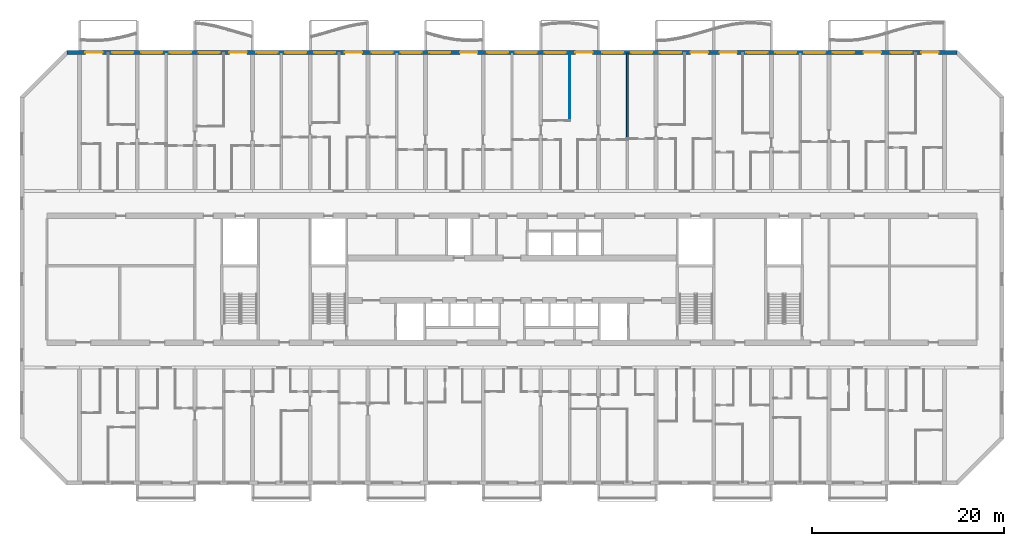
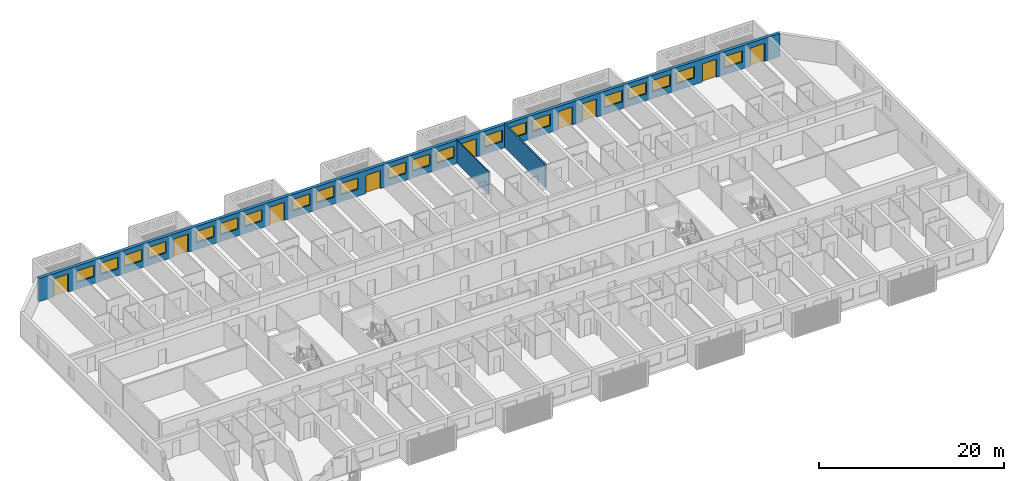
# One storey, part 13 of 38: 21 windows, 9 doors, 3 walls, 30 openings.
"""IFC4 building model written with IfcOpenShell, lengths in metres."""

from ifc_helpers import new_model, si_unit, direction, frame, frame_2d, origin, place, context, subcontext, project, spatial, rectangle, extrude, material, layer, layer_set, type_object, element, fill, save


model = new_model("IFC4")

# Units and contexts
model_context = context("Model", 3, precision=1e-05, world=origin(), true_north=direction((0.0, 1.0)))
body_context = subcontext(model_context, "Body", "Model", "MODEL_VIEW")
ifc_project = project(units=[si_unit("LENGTHUNIT", "METRE"), si_unit("AREAUNIT", "SQUARE_METRE"), si_unit("VOLUMEUNIT", "CUBIC_METRE"), si_unit("PLANEANGLEUNIT", "RADIAN"), si_unit("MASSUNIT", "GRAM", prefix="KILO")], contexts=[model_context])

# Site, building, storey
site_placement = place(None, origin())
site = spatial("IfcSite", under=ifc_project, at=site_placement, CompositionType="ELEMENT")
building_placement = place(site_placement, origin())
building = spatial("IfcBuilding", under=site, at=building_placement, Name="Poui Terraces", CompositionType="ELEMENT")
storey_placement = place(building_placement, frame((0.0, 0.0, 46.5)))
storey = spatial("IfcBuildingStorey", under=building, at=storey_placement, Name="L12", CompositionType="ELEMENT", Elevation=46.5)

# Wall, openings, doors, windows
ifc_material_1 = material(Name="Precast concrete 40 MPa", Category="concrete")
ifc_layer_1 = layer(ifc_material_1, 0.39990234375)
ifc_layer_set_1 = layer_set([ifc_layer_1], Name="Precast concrete 40 MPa")
wall_type_1 = type_object("IfcWallType", Name="EXTERNAL WALL 400", PredefinedType="STANDARD", material=ifc_layer_set_1)
wall_1_placement = place(storey_placement, frame((97.317138671875, 44.800048828125, 0.0), z_axis=(0.0, 0.0, 1.0), x_axis=(-1.0, 0.0, 0.0)))
wall_1 = element("IfcWall", 1, at=wall_1_placement, inside=storey, type_object=wall_type_1, Name="EXTERNAL WALL N", PredefinedType="STANDARD", context=body_context, shape_type="SweptSolid", body=[
    extrude(rectangle(XDim=92.63427734375, YDim=0.39990234375, at=frame_2d((46.317138671875, 0.0))), origin(), (0.0, 0.0, 1.0), 3.050048828125),
])
opening_1_placement = place(wall_1_placement, frame((88.917236328125, 0.0, 0.0)))
opening_1 = element("IfcOpeningElement", 2, at=opening_1_placement, cuts=wall_1, Name="Opening BD1", PredefinedType="OPENING", context=body_context, shape_type="SweptSolid", body=[
    extrude(rectangle(XDim=1.800048828125, YDim=2.39990234375, at=frame_2d((0.89990234375, 1.199951171875))), frame((0.0, 0.2099609375, 0.0), z_axis=(0.0, -1.0, 0.0), x_axis=(1.0, 0.0, 0.0)), (0.0, 0.0, 1.0), 0.419921875),
])
opening_2_placement = place(wall_1_placement, frame((85.71728515625, 0.0, 0.89990234375)))
opening_2 = element("IfcOpeningElement", 3, at=opening_2_placement, cuts=wall_1, Name="Opening W1", PredefinedType="OPENING", context=body_context, shape_type="SweptSolid", body=[
    extrude(rectangle(XDim=2.199951171875, YDim=1.5, at=frame_2d((1.10009765625, 0.75))), frame((0.0, 0.2099609375, 0.0), z_axis=(0.0, -1.0, 0.0), x_axis=(1.0, 0.0, 0.0)), (0.0, 0.0, 1.0), 0.419921875),
])
opening_3_placement = place(wall_1_placement, frame((82.71728515625, 0.0, 0.89990234375)))
opening_3 = element("IfcOpeningElement", 4, at=opening_3_placement, cuts=wall_1, Name="Opening W1", PredefinedType="OPENING", context=body_context, shape_type="SweptSolid", body=[
    extrude(rectangle(XDim=2.199951171875, YDim=1.5, at=frame_2d((1.10009765625, 0.75))), frame((0.0, 0.2099609375, 0.0), z_axis=(0.0, -1.0, 0.0), x_axis=(1.0, 0.0, 0.0)), (0.0, 0.0, 1.0), 0.419921875),
])
opening_4_placement = place(wall_1_placement, frame((79.71728515625, 0.0, 0.89990234375)))
opening_4 = element("IfcOpeningElement", 5, at=opening_4_placement, cuts=wall_1, Name="Opening W1", PredefinedType="OPENING", context=body_context, shape_type="SweptSolid", body=[
    extrude(rectangle(XDim=2.199951171875, YDim=1.5, at=frame_2d((1.10009765625, 0.75))), frame((0.0, 0.2099609375, 0.0), z_axis=(0.0, -1.0, 0.0), x_axis=(1.0, 0.0, 0.0)), (0.0, 0.0, 1.0), 0.419921875),
])
opening_5_placement = place(wall_1_placement, frame((76.71728515625, 0.0, 0.89990234375)))
opening_5 = element("IfcOpeningElement", 6, at=opening_5_placement, cuts=wall_1, Name="Opening W1", PredefinedType="OPENING", context=body_context, shape_type="SweptSolid", body=[
    extrude(rectangle(XDim=2.199951171875, YDim=1.5, at=frame_2d((1.10009765625, 0.75))), frame((0.0, 0.2099609375, 0.0), z_axis=(0.0, -1.0, 0.0), x_axis=(1.0, 0.0, 0.0)), (0.0, 0.0, 1.0), 0.419921875),
])
opening_6_placement = place(wall_1_placement, frame((73.917236328125, 0.0, 0.0)))
opening_6 = element("IfcOpeningElement", 7, at=opening_6_placement, cuts=wall_1, Name="Opening BD1", PredefinedType="OPENING", context=body_context, shape_type="SweptSolid", body=[
    extrude(rectangle(XDim=1.800048828125, YDim=2.39990234375, at=frame_2d((0.89990234375, 1.199951171875))), frame((0.0, 0.2099609375, 0.0), z_axis=(0.0, -1.0, 0.0), x_axis=(1.0, 0.0, 0.0)), (0.0, 0.0, 1.0), 0.419921875),
])
opening_7_placement = place(wall_1_placement, frame((70.71728515625, 0.0, 0.89990234375)))
opening_7 = element("IfcOpeningElement", 8, at=opening_7_placement, cuts=wall_1, Name="Opening W1", PredefinedType="OPENING", context=body_context, shape_type="SweptSolid", body=[
    extrude(rectangle(XDim=2.199951171875, YDim=1.5, at=frame_2d((1.10009765625, 0.75))), frame((0.0, 0.2099609375, 0.0), z_axis=(0.0, -1.0, 0.0), x_axis=(1.0, 0.0, 0.0)), (0.0, 0.0, 1.0), 0.419921875),
])
opening_8_placement = place(wall_1_placement, frame((67.71728515625, 0.0, 0.89990234375)))
opening_8 = element("IfcOpeningElement", 9, at=opening_8_placement, cuts=wall_1, Name="Opening W1", PredefinedType="OPENING", context=body_context, shape_type="SweptSolid", body=[
    extrude(rectangle(XDim=2.199951171875, YDim=1.5, at=frame_2d((1.10009765625, 0.75))), frame((0.0, 0.2099609375, 0.0), z_axis=(0.0, -1.0, 0.0), x_axis=(1.0, 0.0, 0.0)), (0.0, 0.0, 1.0), 0.419921875),
])
opening_9_placement = place(wall_1_placement, frame((64.71728515625, 0.0, 0.89990234375)))
opening_9 = element("IfcOpeningElement", 10, at=opening_9_placement, cuts=wall_1, Name="Opening W1", PredefinedType="OPENING", context=body_context, shape_type="SweptSolid", body=[
    extrude(rectangle(XDim=2.199951171875, YDim=1.5, at=frame_2d((1.10009765625, 0.75))), frame((0.0, 0.2099609375, 0.0), z_axis=(0.0, -1.0, 0.0), x_axis=(1.0, 0.0, 0.0)), (0.0, 0.0, 1.0), 0.419921875),
])
opening_10_placement = place(wall_1_placement, frame((61.917236328125, 0.0, 0.0)))
opening_10 = element("IfcOpeningElement", 11, at=opening_10_placement, cuts=wall_1, Name="Opening BD1", PredefinedType="OPENING", context=body_context, shape_type="SweptSolid", body=[
    extrude(rectangle(XDim=1.800048828125, YDim=2.39990234375, at=frame_2d((0.89990234375, 1.199951171875))), frame((0.0, 0.2099609375, 0.0), z_axis=(0.0, -1.0, 0.0), x_axis=(1.0, 0.0, 0.0)), (0.0, 0.0, 1.0), 0.419921875),
])
opening_11_placement = place(wall_1_placement, frame((58.71728515625, 0.0, 0.89990234375)))
opening_11 = element("IfcOpeningElement", 12, at=opening_11_placement, cuts=wall_1, Name="Opening W1", PredefinedType="OPENING", context=body_context, shape_type="SweptSolid", body=[
    extrude(rectangle(XDim=2.199951171875, YDim=1.5, at=frame_2d((1.10009765625, 0.75))), frame((0.0, 0.2099609375, 0.0), z_axis=(0.0, -1.0, 0.0), x_axis=(1.0, 0.0, 0.0)), (0.0, 0.0, 1.0), 0.419921875),
])
opening_12_placement = place(wall_1_placement, frame((55.71728515625, 0.0, 0.89990234375)))
opening_12 = element("IfcOpeningElement", 13, at=opening_12_placement, cuts=wall_1, Name="Opening W1", PredefinedType="OPENING", context=body_context, shape_type="SweptSolid", body=[
    extrude(rectangle(XDim=2.199951171875, YDim=1.5, at=frame_2d((1.10009765625, 0.75))), frame((0.0, 0.2099609375, 0.0), z_axis=(0.0, -1.0, 0.0), x_axis=(1.0, 0.0, 0.0)), (0.0, 0.0, 1.0), 0.419921875),
])
opening_13_placement = place(wall_1_placement, frame((52.71728515625, 0.0, 0.89990234375)))
opening_13 = element("IfcOpeningElement", 14, at=opening_13_placement, cuts=wall_1, Name="Opening W1", PredefinedType="OPENING", context=body_context, shape_type="SweptSolid", body=[
    extrude(rectangle(XDim=2.199951171875, YDim=1.5, at=frame_2d((1.10009765625, 0.75))), frame((0.0, 0.2099609375, 0.0), z_axis=(0.0, -1.0, 0.0), x_axis=(1.0, 0.0, 0.0)), (0.0, 0.0, 1.0), 0.419921875),
])
opening_14_placement = place(wall_1_placement, frame((49.917236328125, 0.0, 0.0)))
opening_14 = element("IfcOpeningElement", 15, at=opening_14_placement, cuts=wall_1, Name="Opening BD1", PredefinedType="OPENING", context=body_context, shape_type="SweptSolid", body=[
    extrude(rectangle(XDim=1.800048828125, YDim=2.39990234375, at=frame_2d((0.89990234375, 1.199951171875))), frame((0.0, 0.2099609375, 0.0), z_axis=(0.0, -1.0, 0.0), x_axis=(1.0, 0.0, 0.0)), (0.0, 0.0, 1.0), 0.419921875),
])
opening_15_placement = place(wall_1_placement, frame((46.71728515625, 0.0, 0.89990234375)))
opening_15 = element("IfcOpeningElement", 16, at=opening_15_placement, cuts=wall_1, Name="Opening W1", PredefinedType="OPENING", context=body_context, shape_type="SweptSolid", body=[
    extrude(rectangle(XDim=2.199951171875, YDim=1.5, at=frame_2d((1.10009765625, 0.75))), frame((0.0, 0.2099609375, 0.0), z_axis=(0.0, -1.0, 0.0), x_axis=(1.0, 0.0, 0.0)), (0.0, 0.0, 1.0), 0.419921875),
])
opening_16_placement = place(wall_1_placement, frame((43.71728515625, 0.0, 0.89990234375)))
opening_16 = element("IfcOpeningElement", 17, at=opening_16_placement, cuts=wall_1, Name="Opening W1", PredefinedType="OPENING", context=body_context, shape_type="SweptSolid", body=[
    extrude(rectangle(XDim=2.199951171875, YDim=1.5, at=frame_2d((1.10009765625, 0.75))), frame((0.0, 0.2099609375, 0.0), z_axis=(0.0, -1.0, 0.0), x_axis=(1.0, 0.0, 0.0)), (0.0, 0.0, 1.0), 0.419921875),
])
opening_17_placement = place(wall_1_placement, frame((40.71728515625, 0.0, 0.89990234375)))
opening_17 = element("IfcOpeningElement", 18, at=opening_17_placement, cuts=wall_1, Name="Opening W1", PredefinedType="OPENING", context=body_context, shape_type="SweptSolid", body=[
    extrude(rectangle(XDim=2.199951171875, YDim=1.5, at=frame_2d((1.10009765625, 0.75))), frame((0.0, 0.2099609375, 0.0), z_axis=(0.0, -1.0, 0.0), x_axis=(1.0, 0.0, 0.0)), (0.0, 0.0, 1.0), 0.419921875),
])
opening_18_placement = place(wall_1_placement, frame((37.917236328125, 0.0, 0.0)))
opening_18 = element("IfcOpeningElement", 19, at=opening_18_placement, cuts=wall_1, Name="Opening BD1", PredefinedType="OPENING", context=body_context, shape_type="SweptSolid", body=[
    extrude(rectangle(XDim=1.800048828125, YDim=2.39990234375, at=frame_2d((0.89990234375, 1.199951171875))), frame((0.0, 0.2099609375, 0.0), z_axis=(0.0, -1.0, 0.0), x_axis=(1.0, 0.0, 0.0)), (0.0, 0.0, 1.0), 0.419921875),
])
opening_19_placement = place(wall_1_placement, frame((34.71728515625, 0.0, 0.89990234375)))
opening_19 = element("IfcOpeningElement", 20, at=opening_19_placement, cuts=wall_1, Name="Opening W1", PredefinedType="OPENING", context=body_context, shape_type="SweptSolid", body=[
    extrude(rectangle(XDim=2.199951171875, YDim=1.5, at=frame_2d((1.10009765625, 0.75))), frame((0.0, 0.2099609375, 0.0), z_axis=(0.0, -1.0, 0.0), x_axis=(1.0, 0.0, 0.0)), (0.0, 0.0, 1.0), 0.419921875),
])
opening_20_placement = place(wall_1_placement, frame((31.71728515625, 0.0, 0.89990234375)))
opening_20 = element("IfcOpeningElement", 21, at=opening_20_placement, cuts=wall_1, Name="Opening W1", PredefinedType="OPENING", context=body_context, shape_type="SweptSolid", body=[
    extrude(rectangle(XDim=2.199951171875, YDim=1.5, at=frame_2d((1.10009765625, 0.75))), frame((0.0, 0.2099609375, 0.0), z_axis=(0.0, -1.0, 0.0), x_axis=(1.0, 0.0, 0.0)), (0.0, 0.0, 1.0), 0.419921875),
])
opening_21_placement = place(wall_1_placement, frame((28.71728515625, 0.0, 0.89990234375)))
opening_21 = element("IfcOpeningElement", 22, at=opening_21_placement, cuts=wall_1, Name="Opening W1", PredefinedType="OPENING", context=body_context, shape_type="SweptSolid", body=[
    extrude(rectangle(XDim=2.199951171875, YDim=1.5, at=frame_2d((1.10009765625, 0.75))), frame((0.0, 0.2099609375, 0.0), z_axis=(0.0, -1.0, 0.0), x_axis=(1.0, 0.0, 0.0)), (0.0, 0.0, 1.0), 0.419921875),
])
opening_22_placement = place(wall_1_placement, frame((25.917236328125, 0.0, 0.0)))
opening_22 = element("IfcOpeningElement", 23, at=opening_22_placement, cuts=wall_1, Name="Opening BD1", PredefinedType="OPENING", context=body_context, shape_type="SweptSolid", body=[
    extrude(rectangle(XDim=1.800048828125, YDim=2.39990234375, at=frame_2d((0.89990234375, 1.199951171875))), frame((0.0, 0.2099609375, 0.0), z_axis=(0.0, -1.0, 0.0), x_axis=(1.0, 0.0, 0.0)), (0.0, 0.0, 1.0), 0.419921875),
])
opening_23_placement = place(wall_1_placement, frame((22.917236328125, 0.0, 0.0)))
opening_23 = element("IfcOpeningElement", 24, at=opening_23_placement, cuts=wall_1, Name="Opening BD1", PredefinedType="OPENING", context=body_context, shape_type="SweptSolid", body=[
    extrude(rectangle(XDim=1.800048828125, YDim=2.39990234375, at=frame_2d((0.89990234375, 1.199951171875))), frame((0.0, 0.2099609375, 0.0), z_axis=(0.0, -1.0, 0.0), x_axis=(1.0, 0.0, 0.0)), (0.0, 0.0, 1.0), 0.419921875),
])
opening_24_placement = place(wall_1_placement, frame((19.71728515625, 0.0, 0.89990234375)))
opening_24 = element("IfcOpeningElement", 25, at=opening_24_placement, cuts=wall_1, Name="Opening W1", PredefinedType="OPENING", context=body_context, shape_type="SweptSolid", body=[
    extrude(rectangle(XDim=2.199951171875, YDim=1.5, at=frame_2d((1.10009765625, 0.75))), frame((0.0, 0.2099609375, 0.0), z_axis=(0.0, -1.0, 0.0), x_axis=(1.0, 0.0, 0.0)), (0.0, 0.0, 1.0), 0.419921875),
])
opening_25_placement = place(wall_1_placement, frame((16.71728515625, 0.0, 0.89990234375)))
opening_25 = element("IfcOpeningElement", 26, at=opening_25_placement, cuts=wall_1, Name="Opening W1", PredefinedType="OPENING", context=body_context, shape_type="SweptSolid", body=[
    extrude(rectangle(XDim=2.199951171875, YDim=1.5, at=frame_2d((1.10009765625, 0.75))), frame((0.0, 0.2099609375, 0.0), z_axis=(0.0, -1.0, 0.0), x_axis=(1.0, 0.0, 0.0)), (0.0, 0.0, 1.0), 0.419921875),
])
opening_26_placement = place(wall_1_placement, frame((13.71728515625, 0.0, 0.89990234375)))
opening_26 = element("IfcOpeningElement", 27, at=opening_26_placement, cuts=wall_1, Name="Opening W1", PredefinedType="OPENING", context=body_context, shape_type="SweptSolid", body=[
    extrude(rectangle(XDim=2.199951171875, YDim=1.5, at=frame_2d((1.10009765625, 0.75))), frame((0.0, 0.2099609375, 0.0), z_axis=(0.0, -1.0, 0.0), x_axis=(1.0, 0.0, 0.0)), (0.0, 0.0, 1.0), 0.419921875),
])
opening_27_placement = place(wall_1_placement, frame((10.71728515625, 0.0, 0.89990234375)))
opening_27 = element("IfcOpeningElement", 28, at=opening_27_placement, cuts=wall_1, Name="Opening W1", PredefinedType="OPENING", context=body_context, shape_type="SweptSolid", body=[
    extrude(rectangle(XDim=2.199951171875, YDim=1.5, at=frame_2d((1.10009765625, 0.75))), frame((0.0, 0.2099609375, 0.0), z_axis=(0.0, -1.0, 0.0), x_axis=(1.0, 0.0, 0.0)), (0.0, 0.0, 1.0), 0.419921875),
])
opening_28_placement = place(wall_1_placement, frame((7.917236328125, 0.0, 0.0)))
opening_28 = element("IfcOpeningElement", 29, at=opening_28_placement, cuts=wall_1, Name="Opening BD1", PredefinedType="OPENING", context=body_context, shape_type="SweptSolid", body=[
    extrude(rectangle(XDim=1.800048828125, YDim=2.39990234375, at=frame_2d((0.89990234375, 1.199951171875))), frame((0.0, 0.2099609375, 0.0), z_axis=(0.0, -1.0, 0.0), x_axis=(1.0, 0.0, 0.0)), (0.0, 0.0, 1.0), 0.419921875),
])
opening_29_placement = place(wall_1_placement, frame((4.71728515625, 0.0, 0.89990234375)))
opening_29 = element("IfcOpeningElement", 30, at=opening_29_placement, cuts=wall_1, Name="Opening W1", PredefinedType="OPENING", context=body_context, shape_type="SweptSolid", body=[
    extrude(rectangle(XDim=2.199951171875, YDim=1.5, at=frame_2d((1.10009765625, 0.75))), frame((0.0, 0.2099609375, 0.0), z_axis=(0.0, -1.0, 0.0), x_axis=(1.0, 0.0, 0.0)), (0.0, 0.0, 1.0), 0.419921875),
])
opening_30_placement = place(wall_1_placement, frame((1.917236328125, 0.0, 0.0)))
opening_30 = element("IfcOpeningElement", 31, at=opening_30_placement, cuts=wall_1, Name="Opening BD1", PredefinedType="OPENING", context=body_context, shape_type="SweptSolid", body=[
    extrude(rectangle(XDim=1.800048828125, YDim=2.39990234375, at=frame_2d((0.89990234375, 1.199951171875))), frame((0.0, 0.2099609375, 0.0), z_axis=(0.0, -1.0, 0.0), x_axis=(1.0, 0.0, 0.0)), (0.0, 0.0, 1.0), 0.419921875),
])
ifc_material_2 = material(Name="Clear glass in aluminium frame", Category="aluminium")
door_type = type_object("IfcDoorType", Name="BALCONY DOOR 1800X2400", OperationType="DOUBLE_DOOR_SLIDING", PredefinedType="DOOR", material=ifc_material_2)
door_1_placement = place(opening_1_placement, origin())
door_1 = element("IfcDoor", 32, at=door_1_placement, inside=storey, type_object=door_type, Name="BD1 BALCONY DOOR", OperationType="DOUBLE_DOOR_SLIDING", OverallHeight=2.39990234375, OverallWidth=1.800048828125, PredefinedType="DOOR", context=body_context, shape_type="SweptSolid", body=[
    extrude(rectangle(XDim=1.800048828125, YDim=2.39990234375, at=frame_2d((0.89990234375, 1.199951171875))), frame((0.0, 0.02490234375, 0.0), z_axis=(0.0, -1.0, 0.0), x_axis=(1.0, 0.0, 0.0)), (0.0, 0.0, 1.0), 0.050048828125),
])
fill(opening_1, door_1)
door_2_placement = place(opening_6_placement, origin())
door_2 = element("IfcDoor", 33, at=door_2_placement, inside=storey, type_object=door_type, Name="BD1 BALCONY DOOR", OperationType="DOUBLE_DOOR_SLIDING", OverallHeight=2.39990234375, OverallWidth=1.800048828125, PredefinedType="DOOR", context=body_context, shape_type="SweptSolid", body=[
    extrude(rectangle(XDim=1.800048828125, YDim=2.39990234375, at=frame_2d((0.89990234375, 1.199951171875))), frame((0.0, 0.02490234375, 0.0), z_axis=(0.0, -1.0, 0.0), x_axis=(1.0, 0.0, 0.0)), (0.0, 0.0, 1.0), 0.050048828125),
])
fill(opening_6, door_2)
door_3_placement = place(opening_10_placement, origin())
door_3 = element("IfcDoor", 34, at=door_3_placement, inside=storey, type_object=door_type, Name="BD1 BALCONY DOOR", OperationType="DOUBLE_DOOR_SLIDING", OverallHeight=2.39990234375, OverallWidth=1.800048828125, PredefinedType="DOOR", context=body_context, shape_type="SweptSolid", body=[
    extrude(rectangle(XDim=1.800048828125, YDim=2.39990234375, at=frame_2d((0.89990234375, 1.199951171875))), frame((0.0, 0.02490234375, 0.0), z_axis=(0.0, -1.0, 0.0), x_axis=(1.0, 0.0, 0.0)), (0.0, 0.0, 1.0), 0.050048828125),
])
fill(opening_10, door_3)
door_4_placement = place(opening_14_placement, origin())
door_4 = element("IfcDoor", 35, at=door_4_placement, inside=storey, type_object=door_type, Name="BD1 BALCONY DOOR", OperationType="DOUBLE_DOOR_SLIDING", OverallHeight=2.39990234375, OverallWidth=1.800048828125, PredefinedType="DOOR", context=body_context, shape_type="SweptSolid", body=[
    extrude(rectangle(XDim=1.800048828125, YDim=2.39990234375, at=frame_2d((0.89990234375, 1.199951171875))), frame((0.0, 0.02490234375, 0.0), z_axis=(0.0, -1.0, 0.0), x_axis=(1.0, 0.0, 0.0)), (0.0, 0.0, 1.0), 0.050048828125),
])
fill(opening_14, door_4)
door_5_placement = place(opening_18_placement, origin())
door_5 = element("IfcDoor", 36, at=door_5_placement, inside=storey, type_object=door_type, Name="BD1 BALCONY DOOR", OperationType="DOUBLE_DOOR_SLIDING", OverallHeight=2.39990234375, OverallWidth=1.800048828125, PredefinedType="DOOR", context=body_context, shape_type="SweptSolid", body=[
    extrude(rectangle(XDim=1.800048828125, YDim=2.39990234375, at=frame_2d((0.89990234375, 1.199951171875))), frame((0.0, 0.02490234375, 0.0), z_axis=(0.0, -1.0, 0.0), x_axis=(1.0, 0.0, 0.0)), (0.0, 0.0, 1.0), 0.050048828125),
])
fill(opening_18, door_5)
door_6_placement = place(opening_22_placement, origin())
door_6 = element("IfcDoor", 37, at=door_6_placement, inside=storey, type_object=door_type, Name="BD1 BALCONY DOOR", OperationType="DOUBLE_DOOR_SLIDING", OverallHeight=2.39990234375, OverallWidth=1.800048828125, PredefinedType="DOOR", context=body_context, shape_type="SweptSolid", body=[
    extrude(rectangle(XDim=1.800048828125, YDim=2.39990234375, at=frame_2d((0.89990234375, 1.199951171875))), frame((0.0, 0.02490234375, 0.0), z_axis=(0.0, -1.0, 0.0), x_axis=(1.0, 0.0, 0.0)), (0.0, 0.0, 1.0), 0.050048828125),
])
fill(opening_22, door_6)
door_7_placement = place(opening_23_placement, origin())
door_7 = element("IfcDoor", 38, at=door_7_placement, inside=storey, type_object=door_type, Name="BD1 BALCONY DOOR", OperationType="DOUBLE_DOOR_SLIDING", OverallHeight=2.39990234375, OverallWidth=1.800048828125, PredefinedType="DOOR", context=body_context, shape_type="SweptSolid", body=[
    extrude(rectangle(XDim=1.800048828125, YDim=2.39990234375, at=frame_2d((0.89990234375, 1.199951171875))), frame((0.0, 0.02490234375, 0.0), z_axis=(0.0, -1.0, 0.0), x_axis=(1.0, 0.0, 0.0)), (0.0, 0.0, 1.0), 0.050048828125),
])
fill(opening_23, door_7)
door_8_placement = place(opening_28_placement, origin())
door_8 = element("IfcDoor", 39, at=door_8_placement, inside=storey, type_object=door_type, Name="BD1 BALCONY DOOR", OperationType="DOUBLE_DOOR_SLIDING", OverallHeight=2.39990234375, OverallWidth=1.800048828125, PredefinedType="DOOR", context=body_context, shape_type="SweptSolid", body=[
    extrude(rectangle(XDim=1.800048828125, YDim=2.39990234375, at=frame_2d((0.89990234375, 1.199951171875))), frame((0.0, 0.02490234375, 0.0), z_axis=(0.0, -1.0, 0.0), x_axis=(1.0, 0.0, 0.0)), (0.0, 0.0, 1.0), 0.050048828125),
])
fill(opening_28, door_8)
door_9_placement = place(opening_30_placement, origin())
door_9 = element("IfcDoor", 40, at=door_9_placement, inside=storey, type_object=door_type, Name="BD1 BALCONY DOOR", OperationType="DOUBLE_DOOR_SLIDING", OverallHeight=2.39990234375, OverallWidth=1.800048828125, PredefinedType="DOOR", context=body_context, shape_type="SweptSolid", body=[
    extrude(rectangle(XDim=1.800048828125, YDim=2.39990234375, at=frame_2d((0.89990234375, 1.199951171875))), frame((0.0, 0.02490234375, 0.0), z_axis=(0.0, -1.0, 0.0), x_axis=(1.0, 0.0, 0.0)), (0.0, 0.0, 1.0), 0.050048828125),
])
fill(opening_30, door_9)
window_type = type_object("IfcWindowType", Name="WINDOW 2200X1500", PartitioningType="DOUBLE_PANEL_HORIZONTAL", PredefinedType="WINDOW", material=ifc_material_2)
window_1_placement = place(opening_2_placement, origin())
window_1 = element("IfcWindow", 41, at=window_1_placement, inside=storey, type_object=window_type, Name="W1 WINDOW", OverallHeight=1.5, OverallWidth=2.199951171875, PartitioningType="DOUBLE_PANEL_HORIZONTAL", PredefinedType="WINDOW", context=body_context, shape_type="SweptSolid", body=[
    extrude(rectangle(XDim=2.199951171875, YDim=1.5, at=frame_2d((1.10009765625, 0.75))), frame((0.0, 0.030029296875, 0.0), z_axis=(0.0, -1.0, 0.0), x_axis=(1.0, 0.0, 0.0)), (0.0, 0.0, 1.0), 0.06005859375),
])
fill(opening_2, window_1)
window_2_placement = place(opening_3_placement, origin())
window_2 = element("IfcWindow", 42, at=window_2_placement, inside=storey, type_object=window_type, Name="W1 WINDOW", OverallHeight=1.5, OverallWidth=2.199951171875, PartitioningType="DOUBLE_PANEL_HORIZONTAL", PredefinedType="WINDOW", context=body_context, shape_type="SweptSolid", body=[
    extrude(rectangle(XDim=2.199951171875, YDim=1.5, at=frame_2d((1.10009765625, 0.75))), frame((0.0, 0.030029296875, 0.0), z_axis=(0.0, -1.0, 0.0), x_axis=(1.0, 0.0, 0.0)), (0.0, 0.0, 1.0), 0.06005859375),
])
fill(opening_3, window_2)
window_3_placement = place(opening_4_placement, origin())
window_3 = element("IfcWindow", 43, at=window_3_placement, inside=storey, type_object=window_type, Name="W1 WINDOW", OverallHeight=1.5, OverallWidth=2.199951171875, PartitioningType="DOUBLE_PANEL_HORIZONTAL", PredefinedType="WINDOW", context=body_context, shape_type="SweptSolid", body=[
    extrude(rectangle(XDim=2.199951171875, YDim=1.5, at=frame_2d((1.10009765625, 0.75))), frame((0.0, 0.030029296875, 0.0), z_axis=(0.0, -1.0, 0.0), x_axis=(1.0, 0.0, 0.0)), (0.0, 0.0, 1.0), 0.06005859375),
])
fill(opening_4, window_3)
window_4_placement = place(opening_5_placement, origin())
window_4 = element("IfcWindow", 44, at=window_4_placement, inside=storey, type_object=window_type, Name="W1 WINDOW", OverallHeight=1.5, OverallWidth=2.199951171875, PartitioningType="DOUBLE_PANEL_HORIZONTAL", PredefinedType="WINDOW", context=body_context, shape_type="SweptSolid", body=[
    extrude(rectangle(XDim=2.199951171875, YDim=1.5, at=frame_2d((1.10009765625, 0.75))), frame((0.0, 0.030029296875, 0.0), z_axis=(0.0, -1.0, 0.0), x_axis=(1.0, 0.0, 0.0)), (0.0, 0.0, 1.0), 0.06005859375),
])
fill(opening_5, window_4)
window_5_placement = place(opening_7_placement, origin())
window_5 = element("IfcWindow", 45, at=window_5_placement, inside=storey, type_object=window_type, Name="W1 WINDOW", OverallHeight=1.5, OverallWidth=2.199951171875, PartitioningType="DOUBLE_PANEL_HORIZONTAL", PredefinedType="WINDOW", context=body_context, shape_type="SweptSolid", body=[
    extrude(rectangle(XDim=2.199951171875, YDim=1.5, at=frame_2d((1.10009765625, 0.75))), frame((0.0, 0.030029296875, 0.0), z_axis=(0.0, -1.0, 0.0), x_axis=(1.0, 0.0, 0.0)), (0.0, 0.0, 1.0), 0.06005859375),
])
fill(opening_7, window_5)
window_6_placement = place(opening_8_placement, origin())
window_6 = element("IfcWindow", 46, at=window_6_placement, inside=storey, type_object=window_type, Name="W1 WINDOW", OverallHeight=1.5, OverallWidth=2.199951171875, PartitioningType="DOUBLE_PANEL_HORIZONTAL", PredefinedType="WINDOW", context=body_context, shape_type="SweptSolid", body=[
    extrude(rectangle(XDim=2.199951171875, YDim=1.5, at=frame_2d((1.10009765625, 0.75))), frame((0.0, 0.030029296875, 0.0), z_axis=(0.0, -1.0, 0.0), x_axis=(1.0, 0.0, 0.0)), (0.0, 0.0, 1.0), 0.06005859375),
])
fill(opening_8, window_6)
window_7_placement = place(opening_9_placement, origin())
window_7 = element("IfcWindow", 47, at=window_7_placement, inside=storey, type_object=window_type, Name="W1 WINDOW", OverallHeight=1.5, OverallWidth=2.199951171875, PartitioningType="DOUBLE_PANEL_HORIZONTAL", PredefinedType="WINDOW", context=body_context, shape_type="SweptSolid", body=[
    extrude(rectangle(XDim=2.199951171875, YDim=1.5, at=frame_2d((1.10009765625, 0.75))), frame((0.0, 0.030029296875, 0.0), z_axis=(0.0, -1.0, 0.0), x_axis=(1.0, 0.0, 0.0)), (0.0, 0.0, 1.0), 0.06005859375),
])
fill(opening_9, window_7)
window_8_placement = place(opening_11_placement, origin())
window_8 = element("IfcWindow", 48, at=window_8_placement, inside=storey, type_object=window_type, Name="W1 WINDOW", OverallHeight=1.5, OverallWidth=2.199951171875, PartitioningType="DOUBLE_PANEL_HORIZONTAL", PredefinedType="WINDOW", context=body_context, shape_type="SweptSolid", body=[
    extrude(rectangle(XDim=2.199951171875, YDim=1.5, at=frame_2d((1.10009765625, 0.75))), frame((0.0, 0.030029296875, 0.0), z_axis=(0.0, -1.0, 0.0), x_axis=(1.0, 0.0, 0.0)), (0.0, 0.0, 1.0), 0.06005859375),
])
fill(opening_11, window_8)
window_9_placement = place(opening_12_placement, origin())
window_9 = element("IfcWindow", 49, at=window_9_placement, inside=storey, type_object=window_type, Name="W1 WINDOW", OverallHeight=1.5, OverallWidth=2.199951171875, PartitioningType="DOUBLE_PANEL_HORIZONTAL", PredefinedType="WINDOW", context=body_context, shape_type="SweptSolid", body=[
    extrude(rectangle(XDim=2.199951171875, YDim=1.5, at=frame_2d((1.10009765625, 0.75))), frame((0.0, 0.030029296875, 0.0), z_axis=(0.0, -1.0, 0.0), x_axis=(1.0, 0.0, 0.0)), (0.0, 0.0, 1.0), 0.06005859375),
])
fill(opening_12, window_9)
window_10_placement = place(opening_13_placement, origin())
window_10 = element("IfcWindow", 50, at=window_10_placement, inside=storey, type_object=window_type, Name="W1 WINDOW", OverallHeight=1.5, OverallWidth=2.199951171875, PartitioningType="DOUBLE_PANEL_HORIZONTAL", PredefinedType="WINDOW", context=body_context, shape_type="SweptSolid", body=[
    extrude(rectangle(XDim=2.199951171875, YDim=1.5, at=frame_2d((1.10009765625, 0.75))), frame((0.0, 0.030029296875, 0.0), z_axis=(0.0, -1.0, 0.0), x_axis=(1.0, 0.0, 0.0)), (0.0, 0.0, 1.0), 0.06005859375),
])
fill(opening_13, window_10)
window_11_placement = place(opening_15_placement, origin())
window_11 = element("IfcWindow", 51, at=window_11_placement, inside=storey, type_object=window_type, Name="W1 WINDOW", OverallHeight=1.5, OverallWidth=2.199951171875, PartitioningType="DOUBLE_PANEL_HORIZONTAL", PredefinedType="WINDOW", context=body_context, shape_type="SweptSolid", body=[
    extrude(rectangle(XDim=2.199951171875, YDim=1.5, at=frame_2d((1.10009765625, 0.75))), frame((0.0, 0.030029296875, 0.0), z_axis=(0.0, -1.0, 0.0), x_axis=(1.0, 0.0, 0.0)), (0.0, 0.0, 1.0), 0.06005859375),
])
fill(opening_15, window_11)
window_12_placement = place(opening_16_placement, origin())
window_12 = element("IfcWindow", 52, at=window_12_placement, inside=storey, type_object=window_type, Name="W1 WINDOW", OverallHeight=1.5, OverallWidth=2.199951171875, PartitioningType="DOUBLE_PANEL_HORIZONTAL", PredefinedType="WINDOW", context=body_context, shape_type="SweptSolid", body=[
    extrude(rectangle(XDim=2.199951171875, YDim=1.5, at=frame_2d((1.10009765625, 0.75))), frame((0.0, 0.030029296875, 0.0), z_axis=(0.0, -1.0, 0.0), x_axis=(1.0, 0.0, 0.0)), (0.0, 0.0, 1.0), 0.06005859375),
])
fill(opening_16, window_12)
window_13_placement = place(opening_17_placement, origin())
window_13 = element("IfcWindow", 53, at=window_13_placement, inside=storey, type_object=window_type, Name="W1 WINDOW", OverallHeight=1.5, OverallWidth=2.199951171875, PartitioningType="DOUBLE_PANEL_HORIZONTAL", PredefinedType="WINDOW", context=body_context, shape_type="SweptSolid", body=[
    extrude(rectangle(XDim=2.199951171875, YDim=1.5, at=frame_2d((1.10009765625, 0.75))), frame((0.0, 0.030029296875, 0.0), z_axis=(0.0, -1.0, 0.0), x_axis=(1.0, 0.0, 0.0)), (0.0, 0.0, 1.0), 0.06005859375),
])
fill(opening_17, window_13)
window_14_placement = place(opening_19_placement, origin())
window_14 = element("IfcWindow", 54, at=window_14_placement, inside=storey, type_object=window_type, Name="W1 WINDOW", OverallHeight=1.5, OverallWidth=2.199951171875, PartitioningType="DOUBLE_PANEL_HORIZONTAL", PredefinedType="WINDOW", context=body_context, shape_type="SweptSolid", body=[
    extrude(rectangle(XDim=2.199951171875, YDim=1.5, at=frame_2d((1.10009765625, 0.75))), frame((0.0, 0.030029296875, 0.0), z_axis=(0.0, -1.0, 0.0), x_axis=(1.0, 0.0, 0.0)), (0.0, 0.0, 1.0), 0.06005859375),
])
fill(opening_19, window_14)
window_15_placement = place(opening_20_placement, origin())
window_15 = element("IfcWindow", 55, at=window_15_placement, inside=storey, type_object=window_type, Name="W1 WINDOW", OverallHeight=1.5, OverallWidth=2.199951171875, PartitioningType="DOUBLE_PANEL_HORIZONTAL", PredefinedType="WINDOW", context=body_context, shape_type="SweptSolid", body=[
    extrude(rectangle(XDim=2.199951171875, YDim=1.5, at=frame_2d((1.10009765625, 0.75))), frame((0.0, 0.030029296875, 0.0), z_axis=(0.0, -1.0, 0.0), x_axis=(1.0, 0.0, 0.0)), (0.0, 0.0, 1.0), 0.06005859375),
])
fill(opening_20, window_15)
window_16_placement = place(opening_21_placement, origin())
window_16 = element("IfcWindow", 56, at=window_16_placement, inside=storey, type_object=window_type, Name="W1 WINDOW", OverallHeight=1.5, OverallWidth=2.199951171875, PartitioningType="DOUBLE_PANEL_HORIZONTAL", PredefinedType="WINDOW", context=body_context, shape_type="SweptSolid", body=[
    extrude(rectangle(XDim=2.199951171875, YDim=1.5, at=frame_2d((1.10009765625, 0.75))), frame((0.0, 0.030029296875, 0.0), z_axis=(0.0, -1.0, 0.0), x_axis=(1.0, 0.0, 0.0)), (0.0, 0.0, 1.0), 0.06005859375),
])
fill(opening_21, window_16)
window_17_placement = place(opening_24_placement, origin())
window_17 = element("IfcWindow", 57, at=window_17_placement, inside=storey, type_object=window_type, Name="W1 WINDOW", OverallHeight=1.5, OverallWidth=2.199951171875, PartitioningType="DOUBLE_PANEL_HORIZONTAL", PredefinedType="WINDOW", context=body_context, shape_type="SweptSolid", body=[
    extrude(rectangle(XDim=2.199951171875, YDim=1.5, at=frame_2d((1.10009765625, 0.75))), frame((0.0, 0.030029296875, 0.0), z_axis=(0.0, -1.0, 0.0), x_axis=(1.0, 0.0, 0.0)), (0.0, 0.0, 1.0), 0.06005859375),
])
fill(opening_24, window_17)
window_18_placement = place(opening_25_placement, origin())
window_18 = element("IfcWindow", 58, at=window_18_placement, inside=storey, type_object=window_type, Name="W1 WINDOW", OverallHeight=1.5, OverallWidth=2.199951171875, PartitioningType="DOUBLE_PANEL_HORIZONTAL", PredefinedType="WINDOW", context=body_context, shape_type="SweptSolid", body=[
    extrude(rectangle(XDim=2.199951171875, YDim=1.5, at=frame_2d((1.10009765625, 0.75))), frame((0.0, 0.030029296875, 0.0), z_axis=(0.0, -1.0, 0.0), x_axis=(1.0, 0.0, 0.0)), (0.0, 0.0, 1.0), 0.06005859375),
])
fill(opening_25, window_18)
window_19_placement = place(opening_26_placement, origin())
window_19 = element("IfcWindow", 59, at=window_19_placement, inside=storey, type_object=window_type, Name="W1 WINDOW", OverallHeight=1.5, OverallWidth=2.199951171875, PartitioningType="DOUBLE_PANEL_HORIZONTAL", PredefinedType="WINDOW", context=body_context, shape_type="SweptSolid", body=[
    extrude(rectangle(XDim=2.199951171875, YDim=1.5, at=frame_2d((1.10009765625, 0.75))), frame((0.0, 0.030029296875, 0.0), z_axis=(0.0, -1.0, 0.0), x_axis=(1.0, 0.0, 0.0)), (0.0, 0.0, 1.0), 0.06005859375),
])
fill(opening_26, window_19)
window_20_placement = place(opening_27_placement, origin())
window_20 = element("IfcWindow", 60, at=window_20_placement, inside=storey, type_object=window_type, Name="W1 WINDOW", OverallHeight=1.5, OverallWidth=2.199951171875, PartitioningType="DOUBLE_PANEL_HORIZONTAL", PredefinedType="WINDOW", context=body_context, shape_type="SweptSolid", body=[
    extrude(rectangle(XDim=2.199951171875, YDim=1.5, at=frame_2d((1.10009765625, 0.75))), frame((0.0, 0.030029296875, 0.0), z_axis=(0.0, -1.0, 0.0), x_axis=(1.0, 0.0, 0.0)), (0.0, 0.0, 1.0), 0.06005859375),
])
fill(opening_27, window_20)
window_21_placement = place(opening_29_placement, origin())
window_21 = element("IfcWindow", 61, at=window_21_placement, inside=storey, type_object=window_type, Name="W1 WINDOW", OverallHeight=1.5, OverallWidth=2.199951171875, PartitioningType="DOUBLE_PANEL_HORIZONTAL", PredefinedType="WINDOW", context=body_context, shape_type="SweptSolid", body=[
    extrude(rectangle(XDim=2.199951171875, YDim=1.5, at=frame_2d((1.10009765625, 0.75))), frame((0.0, 0.030029296875, 0.0), z_axis=(0.0, -1.0, 0.0), x_axis=(1.0, 0.0, 0.0)), (0.0, 0.0, 1.0), 0.06005859375),
])
fill(opening_29, window_21)

# Walls
ifc_material_3 = material(Name="Plasterboard partition")
ifc_layer_2 = layer(ifc_material_3, 0.10009765625)
ifc_layer_set_2 = layer_set([ifc_layer_2], Name="Plasterboard partition")
wall_type_2 = type_object("IfcWallType", Name="FLAT PARTITION 100", PredefinedType="PARTITIONING", material=ifc_layer_set_2)
wall_2_placement = place(storey_placement, frame((57.0, 37.75, 0.0), z_axis=(0.0, 0.0, 1.0), x_axis=(0.0, 1.0, 0.0)))
element("IfcWall", 62, at=wall_2_placement, inside=storey, type_object=wall_type_2, Name="FLAT PARTITION 100", PredefinedType="PARTITIONING", context=body_context, shape_type="SweptSolid", body=[
    extrude(rectangle(XDim=6.989990234375, YDim=0.10009765625, at=frame_2d((3.4951171875, 0.0))), origin(), (0.0, 0.0, 1.0), 3.050048828125),
])
ifc_material_4 = material(Name="Fire-rated masonry wall", Category="masonry")
ifc_layer_3 = layer(ifc_material_4, 0.199951171875)
ifc_layer_set_3 = layer_set([ifc_layer_3], Name="Fire-rated masonry wall")
wall_type_3 = type_object("IfcWallType", Name="FLAT PARTY WALL 200", PredefinedType="PARTITIONING", material=ifc_layer_set_3)
wall_3_placement = place(storey_placement, frame((63.0, 35.85009765625, 0.0), z_axis=(0.0, 0.0, 1.0), x_axis=(0.0, 1.0, 0.0)))
element("IfcWall", 63, at=wall_3_placement, inside=storey, type_object=wall_type_3, Name="FLAT PARTY WALL 200", PredefinedType="PARTITIONING", context=body_context, shape_type="SweptSolid", body=[
    extrude(rectangle(XDim=8.889892578125, YDim=0.199951171875, at=frame_2d((4.44482421875, 0.0))), origin(), (0.0, 0.0, 1.0), 3.050048828125),
])

save(model, "model.ifc")
